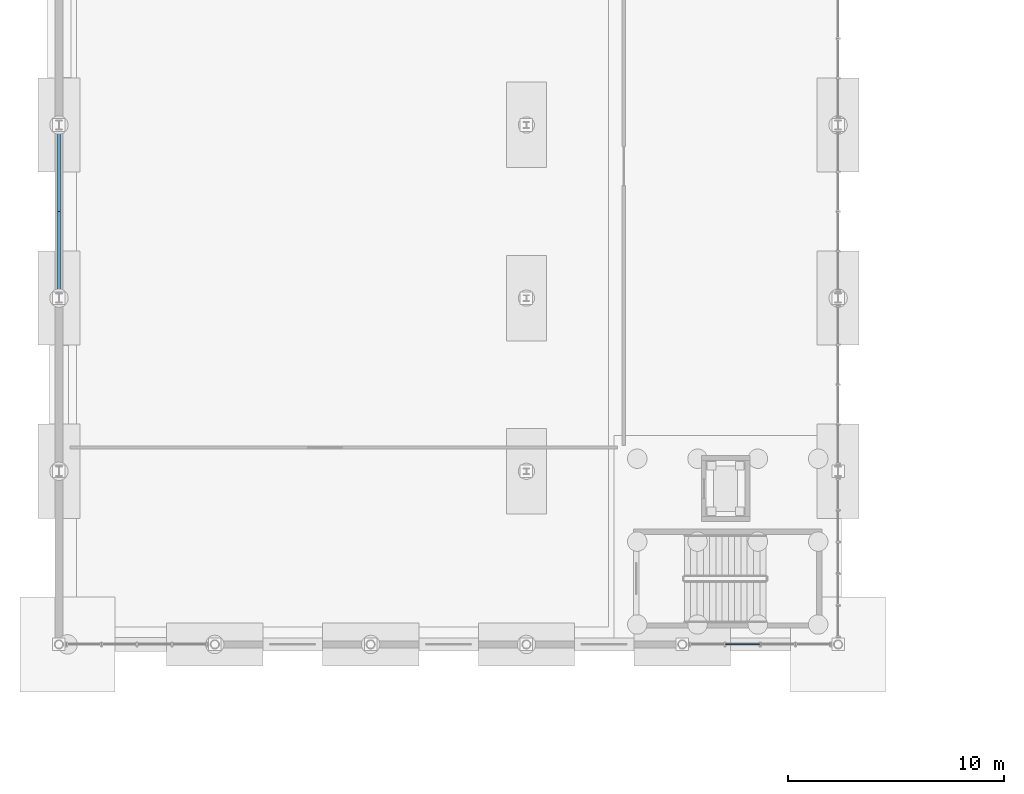
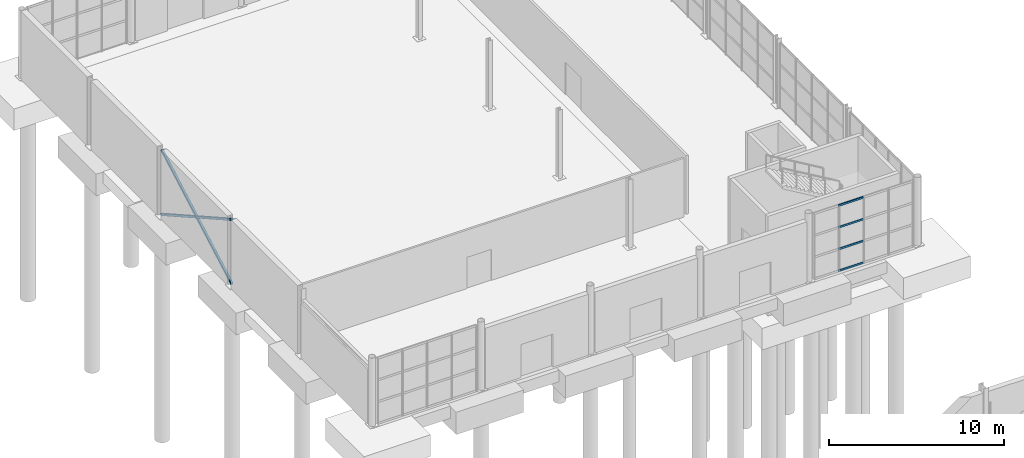
# One storey, part 44 of 101: 6 members, 1 element without a shape of its own.
"""IFC4 building model written with IfcOpenShell, lengths in metres."""

from ifc_helpers import new_model, si_unit, derived_unit, direction, frame, origin, origin_2d, place, context, subcontext, project, spatial, hollow_rectangle, extrude, material, material_profile, profile_set, type_object, element, aggregate, save


model = new_model("IFC4")

# Units and contexts
model_context = context("Model", 3, precision=1e-05, world=origin(), true_north=direction((0.0, 1.0)))
body_context = subcontext(model_context, "Body", "Model", "MODEL_VIEW")
ifc_project = project(units=[si_unit("LENGTHUNIT", "METRE"), si_unit("AREAUNIT", "SQUARE_METRE"), si_unit("VOLUMEUNIT", "CUBIC_METRE"), si_unit("PLANEANGLEUNIT", "RADIAN"), si_unit("MASSUNIT", "GRAM", prefix="KILO"), derived_unit("THERMALTRANSMITTANCEUNIT", [(si_unit("POWERUNIT", "WATT"), 1), (si_unit("LENGTHUNIT", "METRE"), -2), (si_unit("THERMODYNAMICTEMPERATUREUNIT", "KELVIN"), -1)])], contexts=[model_context])

# Site, building, storey
site_placement = place(None, origin())
site = spatial("IfcSite", under=ifc_project, at=site_placement, CompositionType="ELEMENT")
building_placement = place(site_placement, origin())
building = spatial("IfcBuilding", under=site, at=building_placement, Name="Keldorne Ridge Multi-Sports Centre", CompositionType="ELEMENT")
storey_placement = place(building_placement, origin())
storey = spatial("IfcBuildingStorey", under=building, at=storey_placement, Name="L00", CompositionType="ELEMENT", Elevation=0.0)

# Curtain wall, members
ifc_material_1 = material(Name="Anodized aluminium", Category="aluminium")
curtain_wall_type = type_object("IfcCurtainWallType", Name="CW-CW-04", PredefinedType="NOTDEFINED", material=ifc_material_1)
curtain_wall_placement = place(storey_placement, origin())
curtain_wall = element("IfcCurtainWall", 1, at=curtain_wall_placement, inside=storey, type_object=curtain_wall_type, Name="Climbing south curtain wall 052", PredefinedType="NOTDEFINED")
ifc_material_profile_1 = material_profile(ifc_material_1, hollow_rectangle(XDim=0.06494140625, YDim=0.139892578125, WallThickness=0.00439453125, InnerFilletRadius=0.00439453125, OuterFilletRadius=0.009033203125, at=origin_2d()), Name="ALU TRANSOM 140x65x4.5")
ifc_profile_set_1 = profile_set([ifc_material_profile_1], Name="Anodized aluminium")
member_type_1 = type_object("IfcMemberType", Name="MEM-TR-01", PredefinedType="USERDEFINED", material=ifc_profile_set_1)
member_1_placement = place(storey_placement, frame((36.77001953125, 74.0, 0.0), z_axis=(1.0, 0.0, 0.0), x_axis=(0.0, 1.0, 0.0)))
member_1 = element("IfcMember", 2, at=member_1_placement, type_object=member_type_1, Name="CW-052 transom 2.1", ObjectType="TRANSOM", PredefinedType="USERDEFINED", context=body_context, shape_type="SweptSolid", body=[
    extrude(hollow_rectangle(XDim=0.06494140625, YDim=0.139892578125, WallThickness=0.00439453125, InnerFilletRadius=0.00439453125, OuterFilletRadius=0.009033203125, at=origin_2d()), origin(), (0.0, 0.0, 1.0), 1.6298828125),
])
member_2_placement = place(storey_placement, frame((36.77001953125, 74.0, 1.5166015625), z_axis=(1.0, 0.0, 0.0), x_axis=(0.0, 1.0, 0.0)))
member_2 = element("IfcMember", 3, at=member_2_placement, type_object=member_type_1, Name="CW-052 transom 2.2", ObjectType="TRANSOM", PredefinedType="USERDEFINED", context=body_context, shape_type="SweptSolid", body=[
    extrude(hollow_rectangle(XDim=0.06494140625, YDim=0.139892578125, WallThickness=0.00439453125, InnerFilletRadius=0.00439453125, OuterFilletRadius=0.009033203125, at=origin_2d()), origin(), (0.0, 0.0, 1.0), 1.6298828125),
])
member_3_placement = place(storey_placement, frame((36.77001953125, 74.0, 3.033203125), z_axis=(1.0, 0.0, 0.0), x_axis=(0.0, 1.0, 0.0)))
member_3 = element("IfcMember", 4, at=member_3_placement, type_object=member_type_1, Name="CW-052 transom 2.3", ObjectType="TRANSOM", PredefinedType="USERDEFINED", context=body_context, shape_type="SweptSolid", body=[
    extrude(hollow_rectangle(XDim=0.06494140625, YDim=0.139892578125, WallThickness=0.00439453125, InnerFilletRadius=0.00439453125, OuterFilletRadius=0.009033203125, at=origin_2d()), origin(), (0.0, 0.0, 1.0), 1.6298828125),
])
member_4_placement = place(storey_placement, frame((36.77001953125, 74.0, 4.550048828125), z_axis=(1.0, 0.0, 0.0), x_axis=(0.0, 1.0, 0.0)))
member_4 = element("IfcMember", 5, at=member_4_placement, type_object=member_type_1, Name="CW-052 transom 2.4", ObjectType="TRANSOM", PredefinedType="USERDEFINED", context=body_context, shape_type="SweptSolid", body=[
    extrude(hollow_rectangle(XDim=0.06494140625, YDim=0.139892578125, WallThickness=0.00439453125, InnerFilletRadius=0.00439453125, OuterFilletRadius=0.009033203125, at=origin_2d()), origin(), (0.0, 0.0, 1.0), 1.6298828125),
])
aggregate(curtain_wall, [member_1, member_2, member_3, member_4])

# Members
ifc_material_2 = material(Name="Steel S355", Category="steel")
ifc_material_profile_2 = material_profile(ifc_material_2, hollow_rectangle(XDim=0.14990234375, YDim=0.14990234375, WallThickness=0.010009765625, InnerFilletRadius=0.010009765625, OuterFilletRadius=0.02001953125, at=origin_2d()), Name="SHS 150x150x10")
ifc_profile_set_2 = profile_set([ifc_material_profile_2], Name="Steel S355")
member_type_2 = type_object("IfcMemberType", Name="MEM-WB-03", PredefinedType="BRACE", material=ifc_profile_set_2)
for number, where, z_axis, x_axis, name in (
    (6, (6.0, 90.0, 0.14990234375), (0.0, 0.871575537125, 0.490261239633), (-1.0, 0.0, 0.0), "Perimeter vertical X-brace V3W-L0-A"),
    (7, (6.0, 90.0, 4.64990234375), (0.0, 0.871575537125, -0.490261239633), (-1.0, 0.0, 0.0), "Perimeter vertical X-brace V3W-L0-B"),
):
    element("IfcMember", number, at=place(storey_placement, frame(where, z_axis=z_axis, x_axis=x_axis)), inside=storey, type_object=member_type_2, Name=name, PredefinedType="BRACE", context=body_context, shape_type="SweptSolid", body=[
        extrude(hollow_rectangle(XDim=0.14990234375, YDim=0.14990234375, WallThickness=0.010009765625, InnerFilletRadius=0.010009765625, OuterFilletRadius=0.02001953125, at=origin_2d()), origin(), (0.0, 0.0, 1.0), 9.1787109375),
    ])

save(model, "model.ifc")
